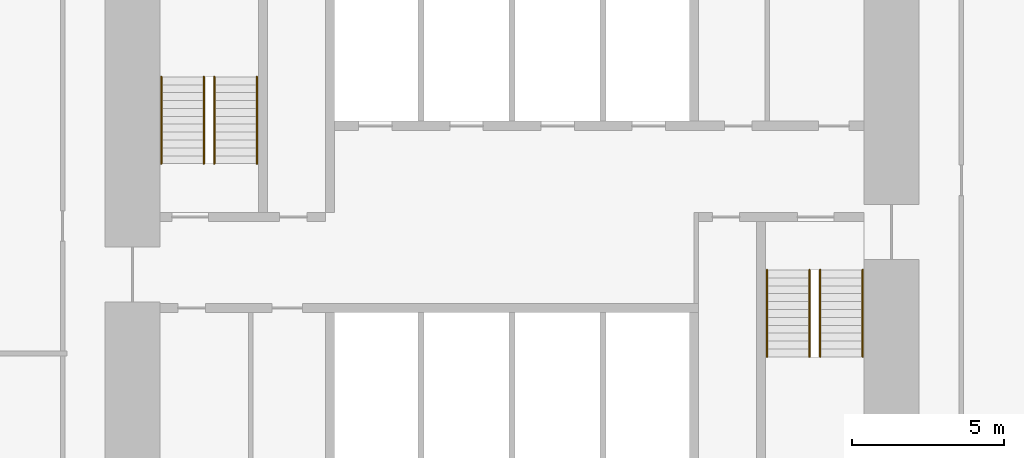
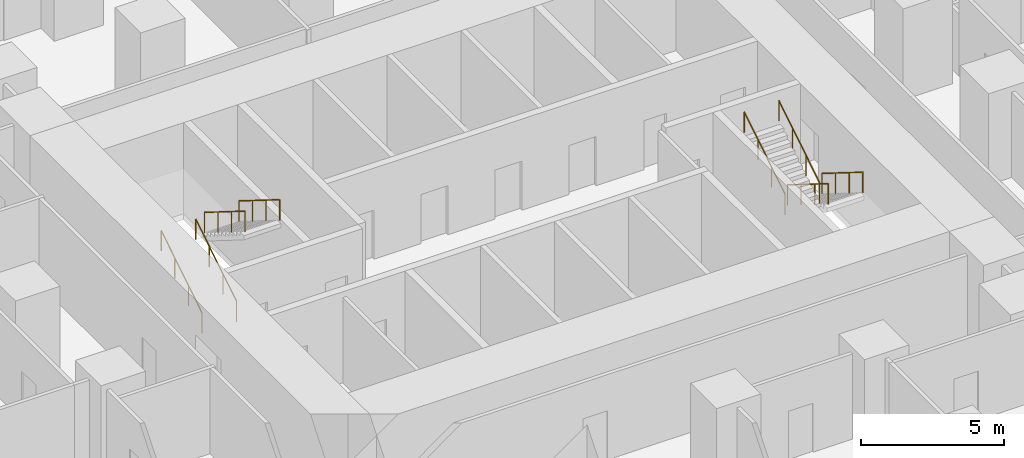
# One storey, part 12 of 12: 8 railings.
"""IFC4 building model written with IfcOpenShell, lengths in metres."""

from ifc_helpers import new_model, si_unit, direction, frame, origin, origin_2d, place, context, subcontext, project, spatial, circle, extrude, material, type_object, element, save


model = new_model("IFC4")

# Units and contexts
model_context = context("Model", 3, precision=1e-05, world=origin(), true_north=direction((0.0, 1.0)))
body_context = subcontext(model_context, "Body", "Model", "MODEL_VIEW")
ifc_project = project(units=[si_unit("LENGTHUNIT", "METRE"), si_unit("AREAUNIT", "SQUARE_METRE"), si_unit("VOLUMEUNIT", "CUBIC_METRE"), si_unit("PLANEANGLEUNIT", "RADIAN"), si_unit("MASSUNIT", "GRAM", prefix="KILO")], contexts=[model_context])

# Site, building, storey
site_placement = place(None, origin())
site = spatial("IfcSite", under=ifc_project, at=site_placement, CompositionType="ELEMENT")
building_placement = place(site_placement, origin())
building = spatial("IfcBuilding", under=site, at=building_placement, Name="Highveld Stack Headquarters", CompositionType="ELEMENT")
storey_placement = place(building_placement, frame((0.0, 0.0, 68.89990234375)))
storey = spatial("IfcBuildingStorey", under=building, at=storey_placement, Name="L16", CompositionType="ELEMENT", Elevation=68.89990234375)

# Railings
ifc_material = material(Name="Stainless steel handrail", Category="steel")
railing_type = type_object("IfcRailingType", Name="STAIR HANDRAIL HR1 900", PredefinedType="HANDRAIL", material=ifc_material)
for number, where, name in (
    (1, (-5.550048828125, 4.75, 0.16259765625), "Handrail S1 L16 flight 1"),
    (2, (-4.14990234375, 4.75, 0.16259765625), "Handrail S1 L16 flight 1"),
):
    element("IfcRailing", number, at=place(storey_placement, frame(where)), inside=storey, type_object=railing_type, Name=name, PredefinedType="HANDRAIL", context=body_context, shape_type="SweptSolid", body=[
        extrude(circle(Radius=0.02392578125, at=origin_2d()), frame((0.0, 0.0, 0.8759765625), z_axis=(0.0, 0.847994237388, 0.530005446535), x_axis=(-1.0, 0.0, 0.0)), (0.0, 0.0, 1.0), 3.372802734375),
        extrude(circle(Radius=0.02099609375, at=origin_2d()), origin(), (0.0, 0.0, 1.0), 0.851806640625),
        extrude(circle(Radius=0.02099609375, at=origin_2d()), frame((0.0, 0.953369140625, 0.595947265625)), (0.0, 0.0, 1.0), 0.851806640625),
        extrude(circle(Radius=0.02099609375, at=origin_2d()), frame((0.0, 1.90673828125, 1.191650390625)), (0.0, 0.0, 1.0), 0.851806640625),
        extrude(circle(Radius=0.02099609375, at=origin_2d()), frame((0.0, 2.860107421875, 1.78759765625)), (0.0, 0.0, 1.0), 0.851806640625),
    ])
for number, where, name in (
    (3, (-3.800048828125, 7.610107421875, 2.112548828125), "Handrail S1 L16 flight 2"),
    (4, (-2.39990234375, 7.610107421875, 2.112548828125), "Handrail S1 L16 flight 2"),
    (5, (16.14990234375, 1.25, 0.16259765625), "Handrail S2 L16 flight 1"),
    (6, (17.550048828125, 1.25, 0.16259765625), "Handrail S2 L16 flight 1"),
):
    element("IfcRailing", number, at=place(storey_placement, frame(where)), inside=storey, type_object=railing_type, Name=name, PredefinedType="HANDRAIL", context=body_context, shape_type="SweptSolid", body=[
        extrude(circle(Radius=0.02392578125, at=origin_2d()), frame((0.0, 0.0, 0.8759765625), z_axis=(0.0, -0.847994237388, 0.530005446535), x_axis=(1.0, 0.0, 0.0)), (0.0, 0.0, 1.0), 3.372802734375),
        extrude(circle(Radius=0.02099609375, at=origin_2d()), origin(), (0.0, 0.0, 1.0), 0.851806640625),
        extrude(circle(Radius=0.02099609375, at=origin_2d()), frame((0.0, -0.953369140625, 0.595947265625)), (0.0, 0.0, 1.0), 0.851806640625),
        extrude(circle(Radius=0.02099609375, at=origin_2d()), frame((0.0, -1.90673828125, 1.191650390625)), (0.0, 0.0, 1.0), 0.851806640625),
        extrude(circle(Radius=0.02099609375, at=origin_2d()), frame((0.0, -2.860107421875, 1.78759765625)), (0.0, 0.0, 1.0), 0.851806640625),
    ])
for number, where, name in (
    (7, (14.39990234375, -1.610107421875, 2.112548828125), "Handrail S2 L16 flight 2"),
    (8, (15.800048828125, -1.610107421875, 2.112548828125), "Handrail S2 L16 flight 2"),
):
    element("IfcRailing", number, at=place(storey_placement, frame(where)), inside=storey, type_object=railing_type, Name=name, PredefinedType="HANDRAIL", context=body_context, shape_type="SweptSolid", body=[
        extrude(circle(Radius=0.02392578125, at=origin_2d()), frame((0.0, 0.0, 0.8759765625), z_axis=(0.0, 0.847994237388, 0.530005446535), x_axis=(-1.0, 0.0, 0.0)), (0.0, 0.0, 1.0), 3.372802734375),
        extrude(circle(Radius=0.02099609375, at=origin_2d()), origin(), (0.0, 0.0, 1.0), 0.851806640625),
        extrude(circle(Radius=0.02099609375, at=origin_2d()), frame((0.0, 0.953369140625, 0.595947265625)), (0.0, 0.0, 1.0), 0.851806640625),
        extrude(circle(Radius=0.02099609375, at=origin_2d()), frame((0.0, 1.90673828125, 1.191650390625)), (0.0, 0.0, 1.0), 0.851806640625),
        extrude(circle(Radius=0.02099609375, at=origin_2d()), frame((0.0, 2.860107421875, 1.78759765625)), (0.0, 0.0, 1.0), 0.851806640625),
    ])

save(model, "model.ifc")
